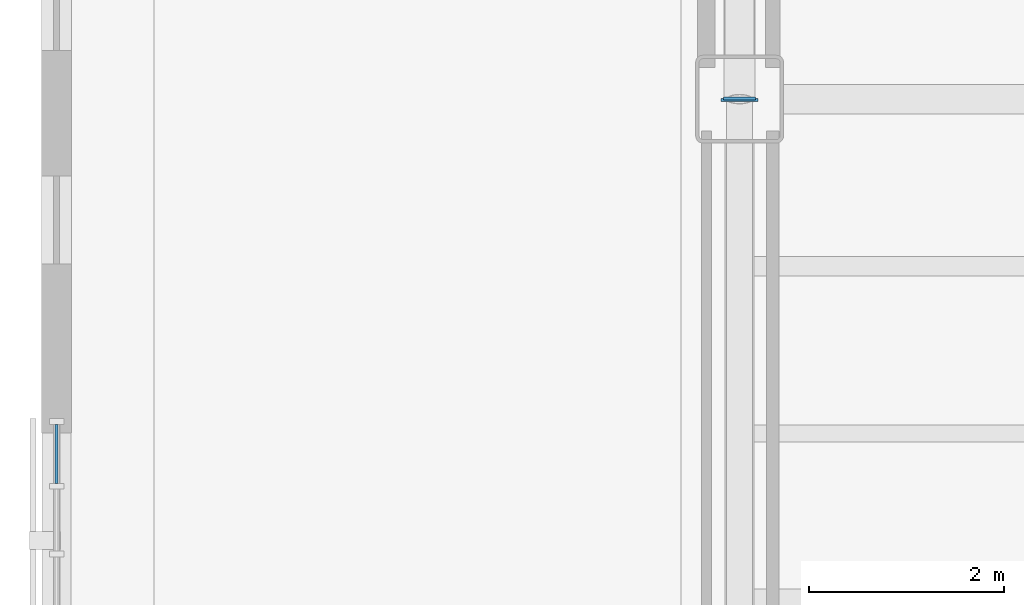
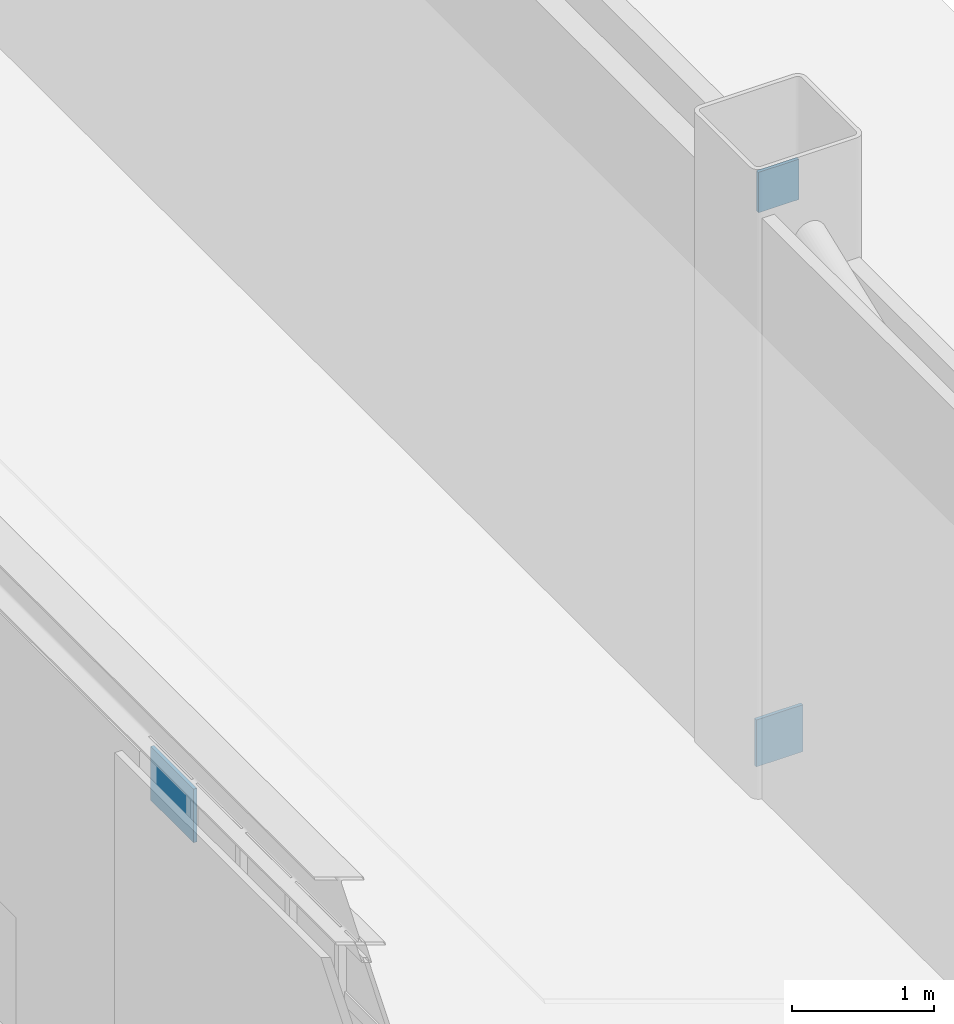
# One storey, part 88 of 127: 3 plates, 1 element without a shape of its own.
"""IFC4 building model written with IfcOpenShell, lengths in metres."""

from ifc_helpers import new_model, si_unit, direction, frame, origin, origin_2d, place, context, subcontext, project, spatial, rectangle, extrude, material, layer, layer_set, type_object, element, aggregate, save


model = new_model("IFC4")

# Units and contexts
model_context = context("Model", 3, precision=1e-05, world=origin(), true_north=direction((0.0, 1.0)))
body_context = subcontext(model_context, "Body", "Model", "MODEL_VIEW")
ifc_project = project(units=[si_unit("LENGTHUNIT", "METRE"), si_unit("AREAUNIT", "SQUARE_METRE"), si_unit("VOLUMEUNIT", "CUBIC_METRE"), si_unit("PLANEANGLEUNIT", "RADIAN"), si_unit("MASSUNIT", "GRAM", prefix="KILO")], contexts=[model_context])

# Site, building, storey
site_placement = place(None, origin())
site = spatial("IfcSite", under=ifc_project, at=site_placement, CompositionType="ELEMENT")
building_placement = place(site_placement, origin())
building = spatial("IfcBuilding", under=site, at=building_placement, Name="Larkvane Passage Sports Hall", CompositionType="ELEMENT")
storey_placement = place(building_placement, frame((0.0, 0.0, 5.39990234375)))
storey = spatial("IfcBuildingStorey", under=building, at=storey_placement, Name="L01", CompositionType="ELEMENT", Elevation=5.39990234375)

# Curtain wall, plate
ifc_material_1 = material(Name="Thermally broken aluminium and low-E glazing", Category="aluminium")
curtain_wall_type = type_object("IfcCurtainWallType", Name="CW-UNIT-COURT", PredefinedType="USERDEFINED", material=ifc_material_1)
curtain_wall_placement = place(storey_placement, origin())
curtain_wall = element("IfcCurtainWall", 1, at=curtain_wall_placement, inside=storey, type_object=curtain_wall_type, Name="Curtain wall CW5-L01-036", ObjectType="UNITISED CURTAIN WALL", PredefinedType="USERDEFINED")
ifc_material_2 = material(Name="Solar-control low-E double glazing", Category="glass")
ifc_layer_1 = layer(ifc_material_2, 0.028076171875)
ifc_layer_set_1 = layer_set([ifc_layer_1], Name="Solar-control low-E double glazing")
plate_type_1 = type_object("IfcPlateType", Name="CWP-VIS-28", PredefinedType="CURTAIN_PANEL", material=ifc_layer_set_1)
plate_1_placement = place(storey_placement, frame((27.800048828125, 59.96484375, 4.05810546875), z_axis=(0.0, 0.0, 1.0), x_axis=(0.0, 1.0, 0.0)))
plate_1 = element("IfcPlate", 2, at=plate_1_placement, type_object=plate_type_1, Name="CW-01 panel 9.3", PredefinedType="CURTAIN_PANEL", context=body_context, shape_type="SweptSolid", body=[
    extrude(rectangle(XDim=0.60498046875, YDim=0.028076171875, at=origin_2d()), origin(), (0.0, 0.0, 1.0), 0.4599609375),
])
aggregate(curtain_wall, [plate_1])

# Plates
ifc_material_3 = material(Name="Steel S355JR", Category="steel")
ifc_layer_2 = layer(ifc_material_3, 0.011962890625)
ifc_layer_set_2 = layer_set([ifc_layer_2], Name="Steel S355JR")
plate_type_2 = type_object("IfcPlateType", Name="PLT-CAP-12", PredefinedType="SHEET", material=ifc_layer_set_2)
plate_2_placement = place(storey_placement, frame((34.800048828125, 63.605712890625, 4.6787109375), z_axis=(0.0, 0.0, 1.0), x_axis=(-1.0, 0.0, 0.0)))
element("IfcPlate", 3, at=plate_2_placement, inside=storey, type_object=plate_type_2, Name="Hollow section sealed end cap plate 0559", PredefinedType="SHEET", context=body_context, shape_type="SweptSolid", body=[
    extrude(rectangle(XDim=0.326904296875, YDim=0.028076171875, at=origin_2d()), origin(), (0.0, 0.0, 1.0), 0.346923828125),
])
ifc_material_4 = material(Name="Steel S460N", Category="steel")
ifc_layer_3 = layer(ifc_material_4, 0.02001953125)
ifc_layer_set_3 = layer_set([ifc_layer_3], Name="Steel S460N")
plate_type_3 = type_object("IfcPlateType", Name="PLT-CAP-20", PredefinedType="SHEET", material=ifc_layer_set_3)
plate_3_placement = place(storey_placement, frame((34.800048828125, 63.5908203125, -0.0546875), z_axis=(0.0, 0.0, 1.0), x_axis=(-1.0, 0.0, 0.0)))
element("IfcPlate", 4, at=plate_3_placement, inside=storey, type_object=plate_type_3, Name="Hollow section sealed end cap plate 0566", PredefinedType="SHEET", context=body_context, shape_type="SweptSolid", body=[
    extrude(rectangle(XDim=0.37890625, YDim=0.028076171875, at=origin_2d()), origin(), (0.0, 0.0, 1.0), 0.402099609375),
])

save(model, "model.ifc")
